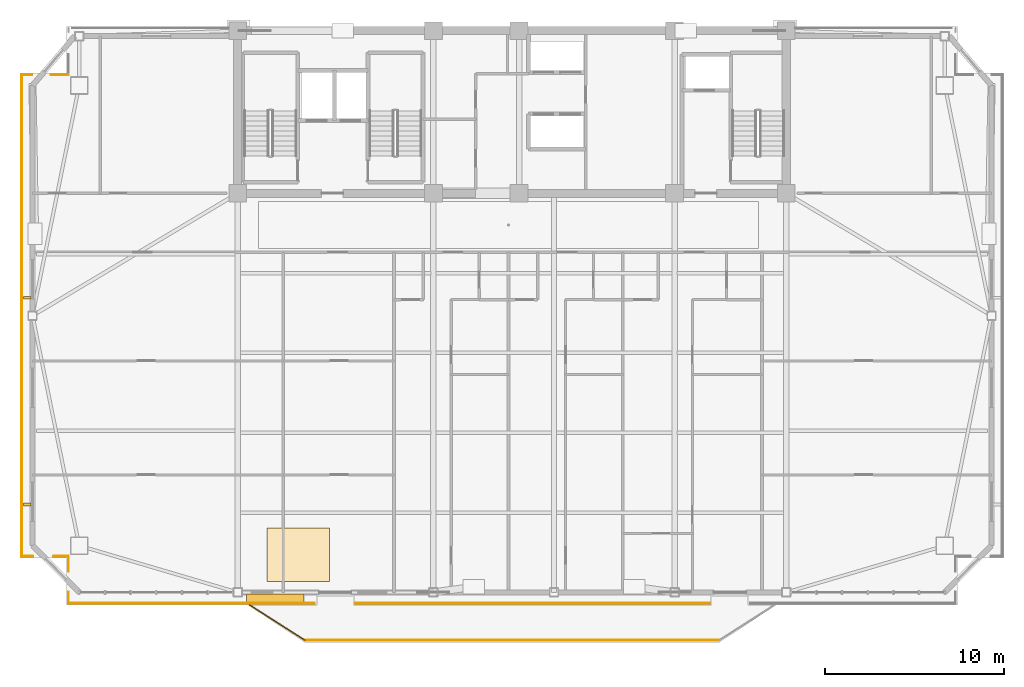
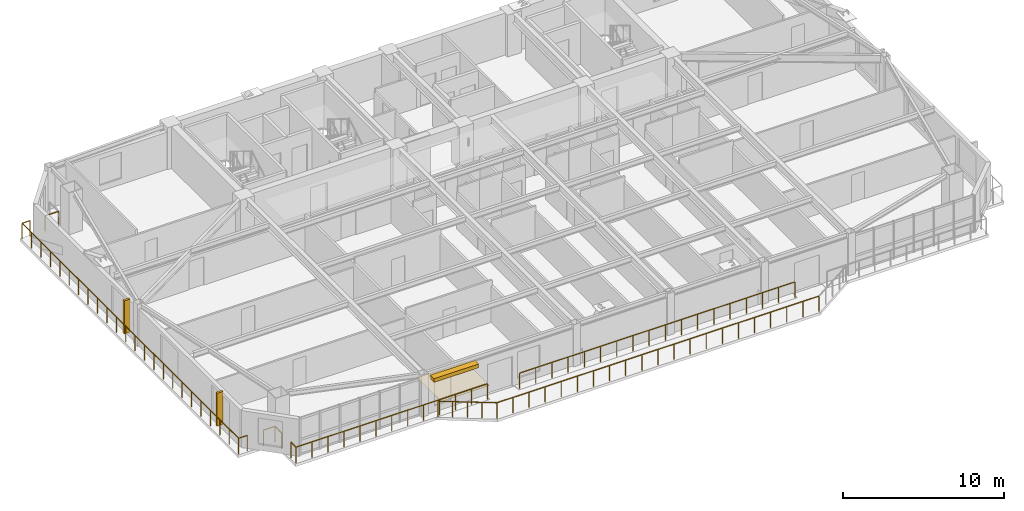
# One storey, part 13 of 17: 11 railings, 3 shading devices, 1 covering.
"""IFC4 building model written with IfcOpenShell, lengths in metres."""

from ifc_helpers import new_model, si_unit, direction, frame, origin, origin_2d, place, context, subcontext, project, spatial, polyline, rectangle, outline, extrude, source, transform, mapped, material, layer, layer_set, type_object, element, save


model = new_model("IFC4")

# Units and contexts
model_context = context("Model", 3, precision=1e-05, world=origin(), true_north=direction((0.0, 1.0)))
body_context = subcontext(model_context, "Body", "Model", "MODEL_VIEW")
ifc_project = project(units=[si_unit("LENGTHUNIT", "METRE"), si_unit("AREAUNIT", "SQUARE_METRE"), si_unit("VOLUMEUNIT", "CUBIC_METRE"), si_unit("PLANEANGLEUNIT", "RADIAN"), si_unit("MASSUNIT", "GRAM", prefix="KILO")], contexts=[model_context])

# Site, building, storey
site_placement = place(None, origin())
site = spatial("IfcSite", under=ifc_project, at=site_placement, CompositionType="ELEMENT")
building_placement = place(site_placement, origin())
building = spatial("IfcBuilding", under=site, at=building_placement, Name="Giltprow Tower", CompositionType="ELEMENT")
storey_placement = place(building_placement, frame((0.0, 0.0, 248.5)))
storey = spatial("IfcBuildingStorey", under=building, at=storey_placement, Name="L63", CompositionType="ELEMENT", Elevation=248.5)

# Covering
ifc_material_1 = material(Name="Engineered oak", Category="wood")
ifc_layer = layer(ifc_material_1, 0.02490234375, Name="Engineered oak")
ifc_layer_set = layer_set([ifc_layer], Name="Engineered oak")
covering_type = type_object("IfcCoveringType", Name="COV-FLR-TIMBER", PredefinedType="FLOORING", material=ifc_layer_set)
covering_placement = place(storey_placement, origin())
element("IfcCovering", 1, at=covering_placement, inside=storey, type_object=covering_type, Name="L63 Residence Oak Parquet Flooring", PredefinedType="FLOORING", context=body_context, shape_type="SweptSolid", body=[
    extrude(outline(polyline([(21.5, 15.712890625), (25.0, 15.712890625), (25.0, 18.712890625), (21.5, 18.712890625), (21.5, 15.712890625)])), origin(), (0.0, 0.0, 1.0), 0.02490234375),
])

# Railings
ifc_material_2 = material(Name="Anodized bronze", Category="metal")
railing_type = type_object("IfcRailingType", Name="RAIL-BALC-GUARD-1200", PredefinedType="BALUSTRADE", material=ifc_material_2)
railing_1_placement = place(storey_placement, frame((20.52001953125, 14.4130859375, 0.0)))
element("IfcRailing", 2, at=railing_1_placement, inside=storey, type_object=railing_type, Name="L63 Waterfront Balcony Balustrade Seg 1", PredefinedType="BALUSTRADE", context=body_context, shape_type="SweptSolid", body=[
    extrude(rectangle(XDim=0.048095703125, YDim=0.048095703125, at=origin_2d()), frame((0.0, 0.0, 1.17578125), z_axis=(0.84277487735, -0.538266203757, 0.0), x_axis=(0.538266203757, 0.84277487735, 0.0)), (0.0, 0.0, 1.0), 3.678466796875),
    extrude(rectangle(XDim=0.0419921875, YDim=0.0419921875, at=origin_2d()), origin(), (0.0, 0.0, 1.0), 1.15185546875),
    extrude(rectangle(XDim=0.0419921875, YDim=0.0419921875, at=origin_2d()), frame((0.77490234375, -0.4951171875, 0.0)), (0.0, 0.0, 1.0), 1.15185546875),
    extrude(rectangle(XDim=0.0419921875, YDim=0.0419921875, at=origin_2d()), frame((1.550048828125, -0.989990234375, 0.0)), (0.0, 0.0, 1.0), 1.15185546875),
    extrude(rectangle(XDim=0.0419921875, YDim=0.0419921875, at=origin_2d()), frame((2.3251953125, -1.48486328125, 0.0)), (0.0, 0.0, 1.0), 1.15185546875),
    extrude(rectangle(XDim=0.0419921875, YDim=0.0419921875, at=origin_2d()), frame((3.10009765625, -1.97998046875, 0.0)), (0.0, 0.0, 1.0), 1.15185546875),
])
railing_2_placement = place(storey_placement, frame((23.6201171875, 12.43310546875, 0.0)))
element("IfcRailing", 3, at=railing_2_placement, inside=storey, type_object=railing_type, Name="L63 Waterfront Balcony Balustrade Seg 2", PredefinedType="BALUSTRADE", context=body_context, shape_type="SweptSolid", body=[
    extrude(rectangle(XDim=0.048095703125, YDim=0.048095703125, at=origin_2d()), frame((0.0, 0.0, 1.17578125), z_axis=(1.0, 0.0, 0.0), x_axis=(0.0, 1.0, 0.0)), (0.0, 0.0, 1.0), 23.159912109375),
    extrude(rectangle(XDim=0.0419921875, YDim=0.0419921875, at=origin_2d()), origin(), (0.0, 0.0, 1.0), 1.15185546875),
    extrude(rectangle(XDim=0.0419921875, YDim=0.0419921875, at=origin_2d()), frame((1.157958984375, 0.0, 0.0)), (0.0, 0.0, 1.0), 1.15185546875),
    extrude(rectangle(XDim=0.0419921875, YDim=0.0419921875, at=origin_2d()), frame((2.31591796875, 0.0, 0.0)), (0.0, 0.0, 1.0), 1.15185546875),
    extrude(rectangle(XDim=0.0419921875, YDim=0.0419921875, at=origin_2d()), frame((3.473876953125, 0.0, 0.0)), (0.0, 0.0, 1.0), 1.15185546875),
    extrude(rectangle(XDim=0.0419921875, YDim=0.0419921875, at=origin_2d()), frame((4.632080078125, 0.0, 0.0)), (0.0, 0.0, 1.0), 1.15185546875),
    extrude(rectangle(XDim=0.0419921875, YDim=0.0419921875, at=origin_2d()), frame((5.7900390625, 0.0, 0.0)), (0.0, 0.0, 1.0), 1.15185546875),
    extrude(rectangle(XDim=0.0419921875, YDim=0.0419921875, at=origin_2d()), frame((6.947998046875, 0.0, 0.0)), (0.0, 0.0, 1.0), 1.15185546875),
    extrude(rectangle(XDim=0.0419921875, YDim=0.0419921875, at=origin_2d()), frame((8.10595703125, 0.0, 0.0)), (0.0, 0.0, 1.0), 1.15185546875),
    extrude(rectangle(XDim=0.0419921875, YDim=0.0419921875, at=origin_2d()), frame((9.263916015625, 0.0, 0.0)), (0.0, 0.0, 1.0), 1.15185546875),
    extrude(rectangle(XDim=0.0419921875, YDim=0.0419921875, at=origin_2d()), frame((10.421875, 0.0, 0.0)), (0.0, 0.0, 1.0), 1.15185546875),
    extrude(rectangle(XDim=0.0419921875, YDim=0.0419921875, at=origin_2d()), frame((11.580078125, 0.0, 0.0)), (0.0, 0.0, 1.0), 1.15185546875),
    extrude(rectangle(XDim=0.0419921875, YDim=0.0419921875, at=origin_2d()), frame((12.738037109375, 0.0, 0.0)), (0.0, 0.0, 1.0), 1.15185546875),
    extrude(rectangle(XDim=0.0419921875, YDim=0.0419921875, at=origin_2d()), frame((13.89599609375, 0.0, 0.0)), (0.0, 0.0, 1.0), 1.15185546875),
    extrude(rectangle(XDim=0.0419921875, YDim=0.0419921875, at=origin_2d()), frame((15.053955078125, 0.0, 0.0)), (0.0, 0.0, 1.0), 1.15185546875),
    extrude(rectangle(XDim=0.0419921875, YDim=0.0419921875, at=origin_2d()), frame((16.2119140625, 0.0, 0.0)), (0.0, 0.0, 1.0), 1.15185546875),
    extrude(rectangle(XDim=0.0419921875, YDim=0.0419921875, at=origin_2d()), frame((17.369873046875, 0.0, 0.0)), (0.0, 0.0, 1.0), 1.15185546875),
    extrude(rectangle(XDim=0.0419921875, YDim=0.0419921875, at=origin_2d()), frame((18.52783203125, 0.0, 0.0)), (0.0, 0.0, 1.0), 1.15185546875),
    extrude(rectangle(XDim=0.0419921875, YDim=0.0419921875, at=origin_2d()), frame((19.68603515625, 0.0, 0.0)), (0.0, 0.0, 1.0), 1.15185546875),
    extrude(rectangle(XDim=0.0419921875, YDim=0.0419921875, at=origin_2d()), frame((20.843994140625, 0.0, 0.0)), (0.0, 0.0, 1.0), 1.15185546875),
    extrude(rectangle(XDim=0.0419921875, YDim=0.0419921875, at=origin_2d()), frame((22.001953125, 0.0, 0.0)), (0.0, 0.0, 1.0), 1.15185546875),
    extrude(rectangle(XDim=0.0419921875, YDim=0.0419921875, at=origin_2d()), frame((23.159912109375, 0.0, 0.0)), (0.0, 0.0, 1.0), 1.15185546875),
])
railing_3_placement = place(storey_placement, frame((46.25, 14.512939453125, 0.0)))
element("IfcRailing", 4, at=railing_3_placement, inside=storey, type_object=railing_type, Name="L63 Corner Apron Edge Balustrade 7", PredefinedType="BALUSTRADE", context=body_context, shape_type="SweptSolid", body=[
    extrude(rectangle(XDim=0.048095703125, YDim=0.048095703125, at=origin_2d()), frame((0.0, 0.0, 1.17578125), z_axis=(-1.0, 0.0, 0.0), x_axis=(0.0, -1.0, 0.0)), (0.0, 0.0, 1.0), 19.800048828125),
    extrude(rectangle(XDim=0.0419921875, YDim=0.0419921875, at=origin_2d()), origin(), (0.0, 0.0, 1.0), 1.15185546875),
    extrude(rectangle(XDim=0.0419921875, YDim=0.0419921875, at=origin_2d()), frame((-1.164794921875, 0.0, 0.0)), (0.0, 0.0, 1.0), 1.15185546875),
    extrude(rectangle(XDim=0.0419921875, YDim=0.0419921875, at=origin_2d()), frame((-2.329345703125, 0.0, 0.0)), (0.0, 0.0, 1.0), 1.15185546875),
    extrude(rectangle(XDim=0.0419921875, YDim=0.0419921875, at=origin_2d()), frame((-3.494140625, 0.0, 0.0)), (0.0, 0.0, 1.0), 1.15185546875),
    extrude(rectangle(XDim=0.0419921875, YDim=0.0419921875, at=origin_2d()), frame((-4.658935546875, 0.0, 0.0)), (0.0, 0.0, 1.0), 1.15185546875),
    extrude(rectangle(XDim=0.0419921875, YDim=0.0419921875, at=origin_2d()), frame((-5.823486328125, 0.0, 0.0)), (0.0, 0.0, 1.0), 1.15185546875),
    extrude(rectangle(XDim=0.0419921875, YDim=0.0419921875, at=origin_2d()), frame((-6.98828125, 0.0, 0.0)), (0.0, 0.0, 1.0), 1.15185546875),
    extrude(rectangle(XDim=0.0419921875, YDim=0.0419921875, at=origin_2d()), frame((-8.153076171875, 0.0, 0.0)), (0.0, 0.0, 1.0), 1.15185546875),
    extrude(rectangle(XDim=0.0419921875, YDim=0.0419921875, at=origin_2d()), frame((-9.317626953125, 0.0, 0.0)), (0.0, 0.0, 1.0), 1.15185546875),
    extrude(rectangle(XDim=0.0419921875, YDim=0.0419921875, at=origin_2d()), frame((-10.482421875, 0.0, 0.0)), (0.0, 0.0, 1.0), 1.15185546875),
    extrude(rectangle(XDim=0.0419921875, YDim=0.0419921875, at=origin_2d()), frame((-11.64697265625, 0.0, 0.0)), (0.0, 0.0, 1.0), 1.15185546875),
    extrude(rectangle(XDim=0.0419921875, YDim=0.0419921875, at=origin_2d()), frame((-12.811767578125, 0.0, 0.0)), (0.0, 0.0, 1.0), 1.15185546875),
    extrude(rectangle(XDim=0.0419921875, YDim=0.0419921875, at=origin_2d()), frame((-13.9765625, 0.0, 0.0)), (0.0, 0.0, 1.0), 1.15185546875),
    extrude(rectangle(XDim=0.0419921875, YDim=0.0419921875, at=origin_2d()), frame((-15.14111328125, 0.0, 0.0)), (0.0, 0.0, 1.0), 1.15185546875),
    extrude(rectangle(XDim=0.0419921875, YDim=0.0419921875, at=origin_2d()), frame((-16.305908203125, 0.0, 0.0)), (0.0, 0.0, 1.0), 1.15185546875),
    extrude(rectangle(XDim=0.0419921875, YDim=0.0419921875, at=origin_2d()), frame((-17.470703125, 0.0, 0.0)), (0.0, 0.0, 1.0), 1.15185546875),
    extrude(rectangle(XDim=0.0419921875, YDim=0.0419921875, at=origin_2d()), frame((-18.63525390625, 0.0, 0.0)), (0.0, 0.0, 1.0), 1.15185546875),
    extrude(rectangle(XDim=0.0419921875, YDim=0.0419921875, at=origin_2d()), frame((-19.800048828125, 0.0, 0.0)), (0.0, 0.0, 1.0), 1.15185546875),
])
railing_4_placement = place(storey_placement, frame((24.14990234375, 14.512939453125, 0.0)))
element("IfcRailing", 5, at=railing_4_placement, inside=storey, type_object=railing_type, Name="L63 Corner Apron Edge Balustrade 8", PredefinedType="BALUSTRADE", context=body_context, shape_type="SweptSolid", body=[
    extrude(rectangle(XDim=0.048095703125, YDim=0.048095703125, at=origin_2d()), frame((0.0, 0.0, 1.17578125), z_axis=(-1.0, 0.0, 0.0), x_axis=(0.0, -1.0, 0.0)), (0.0, 0.0, 1.0), 13.77099609375),
    extrude(rectangle(XDim=0.0419921875, YDim=0.0419921875, at=origin_2d()), origin(), (0.0, 0.0, 1.0), 1.15185546875),
    extrude(rectangle(XDim=0.0419921875, YDim=0.0419921875, at=origin_2d()), frame((-1.1474609375, 0.0, 0.0)), (0.0, 0.0, 1.0), 1.15185546875),
    extrude(rectangle(XDim=0.0419921875, YDim=0.0419921875, at=origin_2d()), frame((-2.295166015625, 0.0, 0.0)), (0.0, 0.0, 1.0), 1.15185546875),
    extrude(rectangle(XDim=0.0419921875, YDim=0.0419921875, at=origin_2d()), frame((-3.44287109375, 0.0, 0.0)), (0.0, 0.0, 1.0), 1.15185546875),
    extrude(rectangle(XDim=0.0419921875, YDim=0.0419921875, at=origin_2d()), frame((-4.59033203125, 0.0, 0.0)), (0.0, 0.0, 1.0), 1.15185546875),
    extrude(rectangle(XDim=0.0419921875, YDim=0.0419921875, at=origin_2d()), frame((-5.73779296875, 0.0, 0.0)), (0.0, 0.0, 1.0), 1.15185546875),
    extrude(rectangle(XDim=0.0419921875, YDim=0.0419921875, at=origin_2d()), frame((-6.885498046875, 0.0, 0.0)), (0.0, 0.0, 1.0), 1.15185546875),
    extrude(rectangle(XDim=0.0419921875, YDim=0.0419921875, at=origin_2d()), frame((-8.033203125, 0.0, 0.0)), (0.0, 0.0, 1.0), 1.15185546875),
    extrude(rectangle(XDim=0.0419921875, YDim=0.0419921875, at=origin_2d()), frame((-9.1806640625, 0.0, 0.0)), (0.0, 0.0, 1.0), 1.15185546875),
    extrude(rectangle(XDim=0.0419921875, YDim=0.0419921875, at=origin_2d()), frame((-10.328125, 0.0, 0.0)), (0.0, 0.0, 1.0), 1.15185546875),
    extrude(rectangle(XDim=0.0419921875, YDim=0.0419921875, at=origin_2d()), frame((-11.475830078125, 0.0, 0.0)), (0.0, 0.0, 1.0), 1.15185546875),
    extrude(rectangle(XDim=0.0419921875, YDim=0.0419921875, at=origin_2d()), frame((-12.62353515625, 0.0, 0.0)), (0.0, 0.0, 1.0), 1.15185546875),
    extrude(rectangle(XDim=0.0419921875, YDim=0.0419921875, at=origin_2d()), frame((-13.77099609375, 0.0, 0.0)), (0.0, 0.0, 1.0), 1.15185546875),
])
railing_5_placement = place(storey_placement, frame((10.37890625, 14.512939453125, 0.0)))
element("IfcRailing", 6, at=railing_5_placement, inside=storey, type_object=railing_type, Name="L63 Corner Apron Edge Balustrade 9", PredefinedType="BALUSTRADE", context=body_context, shape_type="SweptSolid", body=[
    extrude(rectangle(XDim=0.048095703125, YDim=0.048095703125, at=origin_2d()), frame((0.0, 0.0, 1.17578125), z_axis=(0.0, 1.0, 0.0), x_axis=(-1.0, 0.0, 0.0)), (0.0, 0.0, 1.0), 0.6201171875),
    extrude(rectangle(XDim=0.0419921875, YDim=0.0419921875, at=origin_2d()), origin(), (0.0, 0.0, 1.0), 1.15185546875),
    extrude(rectangle(XDim=0.0419921875, YDim=0.0419921875, at=origin_2d()), frame((0.0, 0.6201171875, 0.0)), (0.0, 0.0, 1.0), 1.15185546875),
])
railing_6_placement = place(storey_placement, frame((10.37890625, 16.29296875, 0.0)))
element("IfcRailing", 7, at=railing_6_placement, inside=storey, type_object=railing_type, Name="L63 Corner Apron Edge Balustrade 10", PredefinedType="BALUSTRADE", context=body_context, shape_type="SweptSolid", body=[
    extrude(rectangle(XDim=0.048095703125, YDim=0.048095703125, at=origin_2d()), frame((0.0, 0.0, 1.17578125), z_axis=(0.0, 1.0, 0.0), x_axis=(-1.0, 0.0, 0.0)), (0.0, 0.0, 1.0), 0.8349609375),
    extrude(rectangle(XDim=0.0419921875, YDim=0.0419921875, at=origin_2d()), origin(), (0.0, 0.0, 1.0), 1.15185546875),
    extrude(rectangle(XDim=0.0419921875, YDim=0.0419921875, at=origin_2d()), frame((0.0, 0.8349609375, 0.0)), (0.0, 0.0, 1.0), 1.15185546875),
])
railing_7_placement = place(storey_placement, frame((10.37890625, 17.1279296875, 0.0)))
element("IfcRailing", 8, at=railing_7_placement, inside=storey, type_object=railing_type, Name="L63 Corner Apron Edge Balustrade 11", PredefinedType="BALUSTRADE", context=body_context, shape_type="SweptSolid", body=[
    extrude(rectangle(XDim=0.048095703125, YDim=0.048095703125, at=origin_2d()), frame((0.0, 0.0, 1.17578125), z_axis=(-1.0, 0.0, 0.0), x_axis=(0.0, -1.0, 0.0)), (0.0, 0.0, 1.0), 0.8349609375),
    extrude(rectangle(XDim=0.0419921875, YDim=0.0419921875, at=origin_2d()), origin(), (0.0, 0.0, 1.0), 1.15185546875),
    extrude(rectangle(XDim=0.0419921875, YDim=0.0419921875, at=origin_2d()), frame((-0.8349609375, 0.0, 0.0)), (0.0, 0.0, 1.0), 1.15185546875),
])
railing_8_placement = place(storey_placement, frame((8.384033203125, 17.1279296875, 0.0)))
element("IfcRailing", 9, at=railing_8_placement, inside=storey, type_object=railing_type, Name="L63 Corner Apron Edge Balustrade 12", PredefinedType="BALUSTRADE", context=body_context, shape_type="SweptSolid", body=[
    extrude(rectangle(XDim=0.048095703125, YDim=0.048095703125, at=origin_2d()), frame((0.0, 0.0, 1.17578125), z_axis=(-1.0, 0.0, 0.0), x_axis=(0.0, -1.0, 0.0)), (0.0, 0.0, 1.0), 0.6201171875),
    extrude(rectangle(XDim=0.0419921875, YDim=0.0419921875, at=origin_2d()), origin(), (0.0, 0.0, 1.0), 1.15185546875),
    extrude(rectangle(XDim=0.0419921875, YDim=0.0419921875, at=origin_2d()), frame((-0.6201171875, 0.0, 0.0)), (0.0, 0.0, 1.0), 1.15185546875),
])
railing_9_placement = place(storey_placement, frame((7.763916015625, 17.1279296875, 0.0)))
element("IfcRailing", 10, at=railing_9_placement, inside=storey, type_object=railing_type, Name="L63 Corner Apron Edge Balustrade 13", PredefinedType="BALUSTRADE", context=body_context, shape_type="SweptSolid", body=[
    extrude(rectangle(XDim=0.048095703125, YDim=0.048095703125, at=origin_2d()), frame((0.0, 0.0, 1.17578125), z_axis=(0.0, 1.0, 0.0), x_axis=(-1.0, 0.0, 0.0)), (0.0, 0.0, 1.0), 26.9560546875),
    extrude(rectangle(XDim=0.0419921875, YDim=0.0419921875, at=origin_2d()), origin(), (0.0, 0.0, 1.0), 1.15185546875),
    extrude(rectangle(XDim=0.0419921875, YDim=0.0419921875, at=origin_2d()), frame((0.0, 1.172119140625, 0.0)), (0.0, 0.0, 1.0), 1.15185546875),
    extrude(rectangle(XDim=0.0419921875, YDim=0.0419921875, at=origin_2d()), frame((0.0, 2.343994140625, 0.0)), (0.0, 0.0, 1.0), 1.15185546875),
    extrude(rectangle(XDim=0.0419921875, YDim=0.0419921875, at=origin_2d()), frame((0.0, 3.51611328125, 0.0)), (0.0, 0.0, 1.0), 1.15185546875),
    extrude(rectangle(XDim=0.0419921875, YDim=0.0419921875, at=origin_2d()), frame((0.0, 4.68798828125, 0.0)), (0.0, 0.0, 1.0), 1.15185546875),
    extrude(rectangle(XDim=0.0419921875, YDim=0.0419921875, at=origin_2d()), frame((0.0, 5.860107421875, 0.0)), (0.0, 0.0, 1.0), 1.15185546875),
    extrude(rectangle(XDim=0.0419921875, YDim=0.0419921875, at=origin_2d()), frame((0.0, 7.031982421875, 0.0)), (0.0, 0.0, 1.0), 1.15185546875),
    extrude(rectangle(XDim=0.0419921875, YDim=0.0419921875, at=origin_2d()), frame((0.0, 8.2041015625, 0.0)), (0.0, 0.0, 1.0), 1.15185546875),
    extrude(rectangle(XDim=0.0419921875, YDim=0.0419921875, at=origin_2d()), frame((0.0, 9.3759765625, 0.0)), (0.0, 0.0, 1.0), 1.15185546875),
    extrude(rectangle(XDim=0.0419921875, YDim=0.0419921875, at=origin_2d()), frame((0.0, 10.548095703125, 0.0)), (0.0, 0.0, 1.0), 1.15185546875),
    extrude(rectangle(XDim=0.0419921875, YDim=0.0419921875, at=origin_2d()), frame((0.0, 11.719970703125, 0.0)), (0.0, 0.0, 1.0), 1.15185546875),
    extrude(rectangle(XDim=0.0419921875, YDim=0.0419921875, at=origin_2d()), frame((0.0, 12.89208984375, 0.0)), (0.0, 0.0, 1.0), 1.15185546875),
    extrude(rectangle(XDim=0.0419921875, YDim=0.0419921875, at=origin_2d()), frame((0.0, 14.06396484375, 0.0)), (0.0, 0.0, 1.0), 1.15185546875),
    extrude(rectangle(XDim=0.0419921875, YDim=0.0419921875, at=origin_2d()), frame((0.0, 15.236083984375, 0.0)), (0.0, 0.0, 1.0), 1.15185546875),
    extrude(rectangle(XDim=0.0419921875, YDim=0.0419921875, at=origin_2d()), frame((0.0, 16.407958984375, 0.0)), (0.0, 0.0, 1.0), 1.15185546875),
    extrude(rectangle(XDim=0.0419921875, YDim=0.0419921875, at=origin_2d()), frame((0.0, 17.580078125, 0.0)), (0.0, 0.0, 1.0), 1.15185546875),
    extrude(rectangle(XDim=0.0419921875, YDim=0.0419921875, at=origin_2d()), frame((0.0, 18.751953125, 0.0)), (0.0, 0.0, 1.0), 1.15185546875),
    extrude(rectangle(XDim=0.0419921875, YDim=0.0419921875, at=origin_2d()), frame((0.0, 19.924072265625, 0.0)), (0.0, 0.0, 1.0), 1.15185546875),
    extrude(rectangle(XDim=0.0419921875, YDim=0.0419921875, at=origin_2d()), frame((0.0, 21.095947265625, 0.0)), (0.0, 0.0, 1.0), 1.15185546875),
    extrude(rectangle(XDim=0.0419921875, YDim=0.0419921875, at=origin_2d()), frame((0.0, 22.26806640625, 0.0)), (0.0, 0.0, 1.0), 1.15185546875),
    extrude(rectangle(XDim=0.0419921875, YDim=0.0419921875, at=origin_2d()), frame((0.0, 23.43994140625, 0.0)), (0.0, 0.0, 1.0), 1.15185546875),
    extrude(rectangle(XDim=0.0419921875, YDim=0.0419921875, at=origin_2d()), frame((0.0, 24.612060546875, 0.0)), (0.0, 0.0, 1.0), 1.15185546875),
    extrude(rectangle(XDim=0.0419921875, YDim=0.0419921875, at=origin_2d()), frame((0.0, 25.783935546875, 0.0)), (0.0, 0.0, 1.0), 1.15185546875),
    extrude(rectangle(XDim=0.0419921875, YDim=0.0419921875, at=origin_2d()), frame((0.0, 26.9560546875, 0.0)), (0.0, 0.0, 1.0), 1.15185546875),
])
railing_10_placement = place(storey_placement, frame((7.763916015625, 44.083984375, 0.0)))
element("IfcRailing", 11, at=railing_10_placement, inside=storey, type_object=railing_type, Name="L63 Corner Apron Edge Balustrade 14", PredefinedType="BALUSTRADE", context=body_context, shape_type="SweptSolid", body=[
    extrude(rectangle(XDim=0.048095703125, YDim=0.048095703125, at=origin_2d()), frame((0.0, 0.0, 1.17578125), z_axis=(1.0, 0.0, 0.0), x_axis=(0.0, 1.0, 0.0)), (0.0, 0.0, 1.0), 0.572998046875),
    extrude(rectangle(XDim=0.0419921875, YDim=0.0419921875, at=origin_2d()), origin(), (0.0, 0.0, 1.0), 1.15185546875),
    extrude(rectangle(XDim=0.0419921875, YDim=0.0419921875, at=origin_2d()), frame((0.572998046875, 0.0, 0.0)), (0.0, 0.0, 1.0), 1.15185546875),
])
railing_11_placement = place(storey_placement, frame((9.416015625, 44.083984375, 0.0)))
element("IfcRailing", 12, at=railing_11_placement, inside=storey, type_object=railing_type, Name="L63 Corner Apron Edge Balustrade 15", PredefinedType="BALUSTRADE", context=body_context, shape_type="SweptSolid", body=[
    extrude(rectangle(XDim=0.048095703125, YDim=0.048095703125, at=origin_2d()), frame((0.0, 0.0, 1.17578125), z_axis=(1.0, 0.0, 0.0), x_axis=(0.0, 1.0, 0.0)), (0.0, 0.0, 1.0), 0.962890625),
    extrude(rectangle(XDim=0.0419921875, YDim=0.0419921875, at=origin_2d()), origin(), (0.0, 0.0, 1.0), 1.15185546875),
    extrude(rectangle(XDim=0.0419921875, YDim=0.0419921875, at=origin_2d()), frame((0.962890625, 0.0, 0.0)), (0.0, 0.0, 1.0), 1.15185546875),
])

# Shading devices
shading_device_type_1 = type_object("IfcShadingDeviceType", Name="SHD-FIN-420", PredefinedType="USERDEFINED", material=ifc_material_2)
shared_shape_1 = source(origin(), body_context, "Body", "SweptSolid", [
    extrude(rectangle(XDim=0.419921875, YDim=0.159912109375, at=origin_2d()), origin(), (0.0, 0.0, 1.0), 2.5),
])
for number, where, z_axis, x_axis, name in (
    (13, (8.06396484375, 20.031982421875, 0.35009765625), (0.0, 0.0, 1.0), (1.0, 0.0, 0.0), "L63 W Bronze Vertical Fin 1-1"),
    (14, (8.06396484375, 31.60595703125, 0.35009765625), (0.0, 0.0, 1.0), (1.0, 0.0, 0.0), "L63 W Bronze Vertical Fin 2-1"),
):
    element("IfcShadingDevice", number, at=place(storey_placement, frame(where, z_axis=z_axis, x_axis=x_axis)), inside=storey, type_object=shading_device_type_1, Name=name, ObjectType="FIN", PredefinedType="USERDEFINED", context=body_context, shape_type="MappedRepresentation", body=[
        mapped(shared_shape_1, transform((0.0, 0.0, 0.0), x_axis=(1.0, 0.0, 0.0), y_axis=(0.0, 1.0, 0.0), z_axis=(0.0, 0.0, 1.0), scale=1.0)),
    ])
shading_device_type_2 = type_object("IfcShadingDeviceType", Name="SHD-LOUVRE-320", PredefinedType="JALOUSIE", material=ifc_material_2)
shared_shape_2 = source(origin(), body_context, "Body", "SweptSolid", [
    extrude(rectangle(XDim=3.199951171875, YDim=0.449951171875, at=origin_2d()), origin(), (0.0, 0.0, 1.0), 0.280029296875),
])
shading_device_placement = place(storey_placement, frame((21.949951171875, 14.81298828125, 2.56005859375), z_axis=(0.0, 0.0, 1.0), x_axis=(1.0, 0.0, 0.0)))
element("IfcShadingDevice", 15, at=shading_device_placement, inside=storey, type_object=shading_device_type_2, Name="L63 Bronze Sunshade Louvre S-2", PredefinedType="JALOUSIE", context=body_context, shape_type="MappedRepresentation", body=[
    mapped(shared_shape_2, transform((0.0, 0.0, 0.0), x_axis=(1.0, 0.0, 0.0), y_axis=(0.0, 1.0, 0.0), z_axis=(0.0, 0.0, 1.0), scale=1.0)),
])

save(model, "model.ifc")
